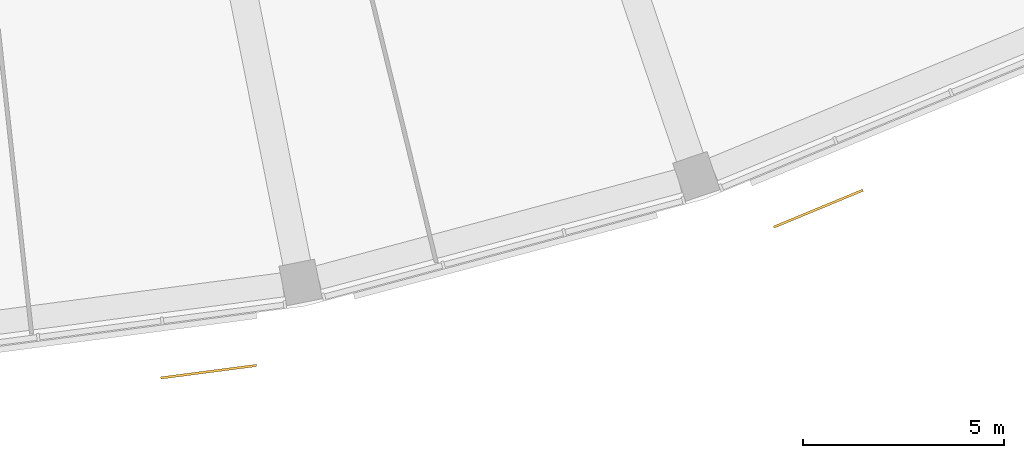
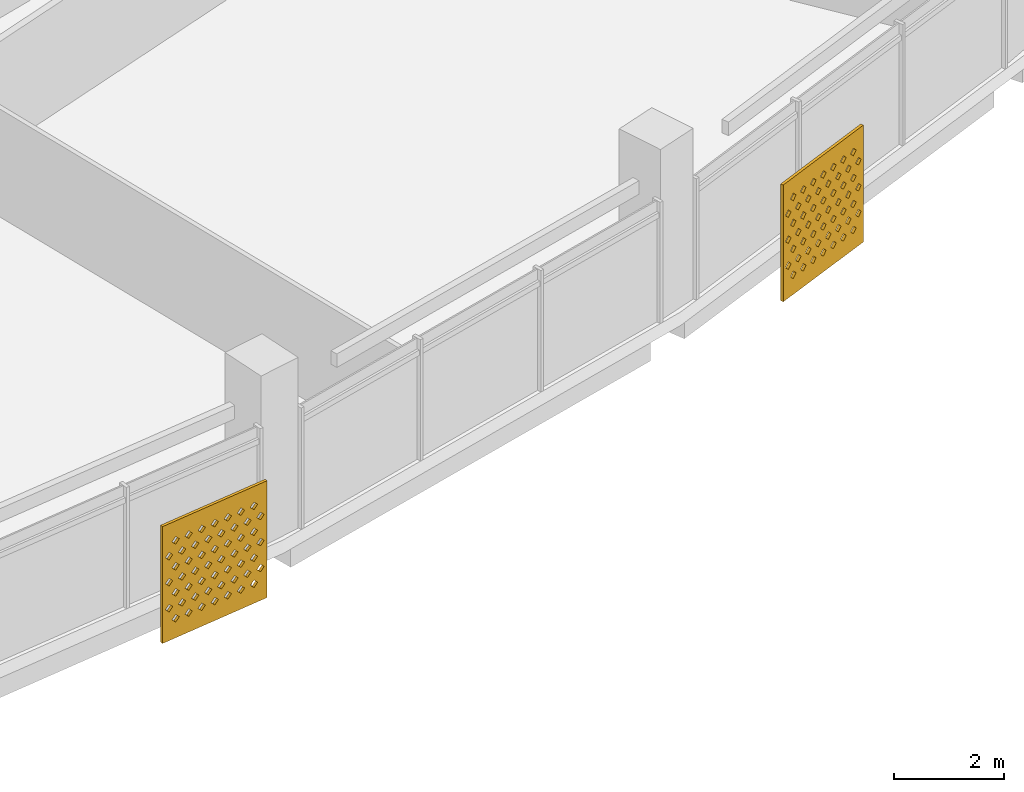
# One storey, part 27 of 29: 2 shading devices.
"""IFC4 building model written with IfcOpenShell, lengths in metres."""

from ifc_helpers import new_model, si_unit, direction, frame, origin, place, context, subcontext, project, spatial, polyline, outline, extrude, material, material_profile, profile_set, type_object, element, save


model = new_model("IFC4")

# Units and contexts
model_context = context("Model", 3, precision=1e-05, world=origin(), true_north=direction((0.0, 1.0)))
body_context = subcontext(model_context, "Body", "Model", "MODEL_VIEW")
ifc_project = project(units=[si_unit("LENGTHUNIT", "METRE"), si_unit("AREAUNIT", "SQUARE_METRE"), si_unit("VOLUMEUNIT", "CUBIC_METRE"), si_unit("PLANEANGLEUNIT", "RADIAN"), si_unit("MASSUNIT", "GRAM", prefix="KILO")], contexts=[model_context])

# Site, building, storey
site_placement = place(None, origin())
site = spatial("IfcSite", under=ifc_project, at=site_placement, CompositionType="ELEMENT")
building_placement = place(site_placement, origin())
building = spatial("IfcBuilding", under=site, at=building_placement, Name="Qamariyya Broadcast Tower", CompositionType="ELEMENT")
storey_placement = place(building_placement, frame((0.0, 0.0, 261.89990234375)))
storey = spatial("IfcBuildingStorey", under=building, at=storey_placement, Name="L63", CompositionType="ELEMENT", Elevation=261.89990234375)

# Shading devices
ifc_material = material(Name="Perforated glazed terracotta", Category="masonry")
ifc_material_profile = material_profile(ifc_material, outline(polyline([(-1.199951171875, -1.300048828125), (1.199951171875, -1.300048828125), (1.199951171875, 1.300048828125), (-1.199951171875, 1.300048828125), (-1.199951171875, -1.300048828125)]), holes=[polyline([(-0.81494140625, -0.86669921875), (-0.89990234375, -0.78173828125), (-0.985107421875, -0.86669921875), (-0.89990234375, -0.95166015625), (-0.81494140625, -0.86669921875)]), polyline([(-0.514892578125, -0.86669921875), (-0.60009765625, -0.78173828125), (-0.68505859375, -0.86669921875), (-0.60009765625, -0.95166015625), (-0.514892578125, -0.86669921875)]), polyline([(-0.215087890625, -0.86669921875), (-0.300048828125, -0.78173828125), (-0.385009765625, -0.86669921875), (-0.300048828125, -0.95166015625), (-0.215087890625, -0.86669921875)]), polyline([(0.0849609375, -0.86669921875), (0.0, -0.78173828125), (-0.0849609375, -0.86669921875), (0.0, -0.95166015625), (0.0849609375, -0.86669921875)]), polyline([(0.385009765625, -0.86669921875), (0.300048828125, -0.78173828125), (0.215087890625, -0.86669921875), (0.300048828125, -0.95166015625), (0.385009765625, -0.86669921875)]), polyline([(0.68505859375, -0.86669921875), (0.60009765625, -0.78173828125), (0.514892578125, -0.86669921875), (0.60009765625, -0.95166015625), (0.68505859375, -0.86669921875)]), polyline([(0.985107421875, -0.86669921875), (0.89990234375, -0.78173828125), (0.81494140625, -0.86669921875), (0.89990234375, -0.95166015625), (0.985107421875, -0.86669921875)]), polyline([(-0.965087890625, -0.577880859375), (-1.050048828125, -0.49267578125), (-1.135009765625, -0.577880859375), (-1.050048828125, -0.662841796875), (-0.965087890625, -0.577880859375)]), polyline([(-0.6650390625, -0.577880859375), (-0.75, -0.49267578125), (-0.8349609375, -0.577880859375), (-0.75, -0.662841796875), (-0.6650390625, -0.577880859375)]), polyline([(-0.364990234375, -0.577880859375), (-0.449951171875, -0.49267578125), (-0.534912109375, -0.577880859375), (-0.449951171875, -0.662841796875), (-0.364990234375, -0.577880859375)]), polyline([(-0.06494140625, -0.577880859375), (-0.14990234375, -0.49267578125), (-0.235107421875, -0.577880859375), (-0.14990234375, -0.662841796875), (-0.06494140625, -0.577880859375)]), polyline([(0.235107421875, -0.577880859375), (0.14990234375, -0.49267578125), (0.06494140625, -0.577880859375), (0.14990234375, -0.662841796875), (0.235107421875, -0.577880859375)]), polyline([(0.534912109375, -0.577880859375), (0.449951171875, -0.49267578125), (0.364990234375, -0.577880859375), (0.449951171875, -0.662841796875), (0.534912109375, -0.577880859375)]), polyline([(0.8349609375, -0.577880859375), (0.75, -0.49267578125), (0.6650390625, -0.577880859375), (0.75, -0.662841796875), (0.8349609375, -0.577880859375)]), polyline([(1.135009765625, -0.577880859375), (1.050048828125, -0.49267578125), (0.965087890625, -0.577880859375), (1.050048828125, -0.662841796875), (1.135009765625, -0.577880859375)]), polyline([(-0.81494140625, -0.288818359375), (-0.89990234375, -0.203857421875), (-0.985107421875, -0.288818359375), (-0.89990234375, -0.373779296875), (-0.81494140625, -0.288818359375)]), polyline([(-0.514892578125, -0.288818359375), (-0.60009765625, -0.203857421875), (-0.68505859375, -0.288818359375), (-0.60009765625, -0.373779296875), (-0.514892578125, -0.288818359375)]), polyline([(-0.215087890625, -0.288818359375), (-0.300048828125, -0.203857421875), (-0.385009765625, -0.288818359375), (-0.300048828125, -0.373779296875), (-0.215087890625, -0.288818359375)]), polyline([(0.0849609375, -0.288818359375), (0.0, -0.203857421875), (-0.0849609375, -0.288818359375), (0.0, -0.373779296875), (0.0849609375, -0.288818359375)]), polyline([(0.385009765625, -0.288818359375), (0.300048828125, -0.203857421875), (0.215087890625, -0.288818359375), (0.300048828125, -0.373779296875), (0.385009765625, -0.288818359375)]), polyline([(0.68505859375, -0.288818359375), (0.60009765625, -0.203857421875), (0.514892578125, -0.288818359375), (0.60009765625, -0.373779296875), (0.68505859375, -0.288818359375)]), polyline([(0.985107421875, -0.288818359375), (0.89990234375, -0.203857421875), (0.81494140625, -0.288818359375), (0.89990234375, -0.373779296875), (0.985107421875, -0.288818359375)]), polyline([(-0.965087890625, 0.0), (-1.050048828125, 0.0849609375), (-1.135009765625, 0.0), (-1.050048828125, -0.0849609375), (-0.965087890625, 0.0)]), polyline([(-0.6650390625, 0.0), (-0.75, 0.0849609375), (-0.8349609375, 0.0), (-0.75, -0.0849609375), (-0.6650390625, 0.0)]), polyline([(-0.364990234375, 0.0), (-0.449951171875, 0.0849609375), (-0.534912109375, 0.0), (-0.449951171875, -0.0849609375), (-0.364990234375, 0.0)]), polyline([(-0.06494140625, 0.0), (-0.14990234375, 0.0849609375), (-0.235107421875, 0.0), (-0.14990234375, -0.0849609375), (-0.06494140625, 0.0)]), polyline([(0.235107421875, 0.0), (0.14990234375, 0.0849609375), (0.06494140625, 0.0), (0.14990234375, -0.0849609375), (0.235107421875, 0.0)]), polyline([(0.534912109375, 0.0), (0.449951171875, 0.0849609375), (0.364990234375, 0.0), (0.449951171875, -0.0849609375), (0.534912109375, 0.0)]), polyline([(0.8349609375, 0.0), (0.75, 0.0849609375), (0.6650390625, 0.0), (0.75, -0.0849609375), (0.8349609375, 0.0)]), polyline([(1.135009765625, 0.0), (1.050048828125, 0.0849609375), (0.965087890625, 0.0), (1.050048828125, -0.0849609375), (1.135009765625, 0.0)]), polyline([(-0.81494140625, 0.288818359375), (-0.89990234375, 0.373779296875), (-0.985107421875, 0.288818359375), (-0.89990234375, 0.203857421875), (-0.81494140625, 0.288818359375)]), polyline([(-0.514892578125, 0.288818359375), (-0.60009765625, 0.373779296875), (-0.68505859375, 0.288818359375), (-0.60009765625, 0.203857421875), (-0.514892578125, 0.288818359375)]), polyline([(-0.215087890625, 0.288818359375), (-0.300048828125, 0.373779296875), (-0.385009765625, 0.288818359375), (-0.300048828125, 0.203857421875), (-0.215087890625, 0.288818359375)]), polyline([(0.0849609375, 0.288818359375), (0.0, 0.373779296875), (-0.0849609375, 0.288818359375), (0.0, 0.203857421875), (0.0849609375, 0.288818359375)]), polyline([(0.385009765625, 0.288818359375), (0.300048828125, 0.373779296875), (0.215087890625, 0.288818359375), (0.300048828125, 0.203857421875), (0.385009765625, 0.288818359375)]), polyline([(0.68505859375, 0.288818359375), (0.60009765625, 0.373779296875), (0.514892578125, 0.288818359375), (0.60009765625, 0.203857421875), (0.68505859375, 0.288818359375)]), polyline([(0.985107421875, 0.288818359375), (0.89990234375, 0.373779296875), (0.81494140625, 0.288818359375), (0.89990234375, 0.203857421875), (0.985107421875, 0.288818359375)]), polyline([(-0.965087890625, 0.577880859375), (-1.050048828125, 0.662841796875), (-1.135009765625, 0.577880859375), (-1.050048828125, 0.49267578125), (-0.965087890625, 0.577880859375)]), polyline([(-0.6650390625, 0.577880859375), (-0.75, 0.662841796875), (-0.8349609375, 0.577880859375), (-0.75, 0.49267578125), (-0.6650390625, 0.577880859375)]), polyline([(-0.364990234375, 0.577880859375), (-0.449951171875, 0.662841796875), (-0.534912109375, 0.577880859375), (-0.449951171875, 0.49267578125), (-0.364990234375, 0.577880859375)]), polyline([(-0.06494140625, 0.577880859375), (-0.14990234375, 0.662841796875), (-0.235107421875, 0.577880859375), (-0.14990234375, 0.49267578125), (-0.06494140625, 0.577880859375)]), polyline([(0.235107421875, 0.577880859375), (0.14990234375, 0.662841796875), (0.06494140625, 0.577880859375), (0.14990234375, 0.49267578125), (0.235107421875, 0.577880859375)]), polyline([(0.534912109375, 0.577880859375), (0.449951171875, 0.662841796875), (0.364990234375, 0.577880859375), (0.449951171875, 0.49267578125), (0.534912109375, 0.577880859375)]), polyline([(0.8349609375, 0.577880859375), (0.75, 0.662841796875), (0.6650390625, 0.577880859375), (0.75, 0.49267578125), (0.8349609375, 0.577880859375)]), polyline([(1.135009765625, 0.577880859375), (1.050048828125, 0.662841796875), (0.965087890625, 0.577880859375), (1.050048828125, 0.49267578125), (1.135009765625, 0.577880859375)]), polyline([(-0.81494140625, 0.86669921875), (-0.89990234375, 0.95166015625), (-0.985107421875, 0.86669921875), (-0.89990234375, 0.78173828125), (-0.81494140625, 0.86669921875)]), polyline([(-0.514892578125, 0.86669921875), (-0.60009765625, 0.95166015625), (-0.68505859375, 0.86669921875), (-0.60009765625, 0.78173828125), (-0.514892578125, 0.86669921875)]), polyline([(-0.215087890625, 0.86669921875), (-0.300048828125, 0.95166015625), (-0.385009765625, 0.86669921875), (-0.300048828125, 0.78173828125), (-0.215087890625, 0.86669921875)]), polyline([(0.0849609375, 0.86669921875), (0.0, 0.95166015625), (-0.0849609375, 0.86669921875), (0.0, 0.78173828125), (0.0849609375, 0.86669921875)]), polyline([(0.385009765625, 0.86669921875), (0.300048828125, 0.95166015625), (0.215087890625, 0.86669921875), (0.300048828125, 0.78173828125), (0.385009765625, 0.86669921875)]), polyline([(0.68505859375, 0.86669921875), (0.60009765625, 0.95166015625), (0.514892578125, 0.86669921875), (0.60009765625, 0.78173828125), (0.68505859375, 0.86669921875)]), polyline([(0.985107421875, 0.86669921875), (0.89990234375, 0.95166015625), (0.81494140625, 0.86669921875), (0.89990234375, 0.78173828125), (0.985107421875, 0.86669921875)])]))
ifc_profile_set = profile_set([ifc_material_profile], Name="Perforated glazed terracotta")
shading_device_type = type_object("IfcShadingDeviceType", Name="Perforated terracotta screen 2400 x 2600", PredefinedType="USERDEFINED", material=ifc_profile_set)
shading_device_1_placement = place(storey_placement, frame((12.880126953125, -78.442138671875, 1.35009765625), z_axis=(0.1300340368, -0.991509530601, 0.0), x_axis=(0.991509530601, 0.1300340368, 0.0)))
element("IfcShadingDevice", 1, at=shading_device_1_placement, inside=storey, type_object=shading_device_type, Name="e-scr-L63-08-2", ObjectType="SCREEN", PredefinedType="USERDEFINED", context=body_context, shape_type="SweptSolid", body=[
    extrude(outline(polyline([(-1.199951171875, -1.300048828125), (1.199951171875, -1.300048828125), (1.199951171875, 1.300048828125), (-1.199951171875, 1.300048828125), (-1.199951171875, -1.300048828125)]), holes=[polyline([(-0.81494140625, -0.86669921875), (-0.89990234375, -0.78173828125), (-0.985107421875, -0.86669921875), (-0.89990234375, -0.95166015625), (-0.81494140625, -0.86669921875)]), polyline([(-0.514892578125, -0.86669921875), (-0.60009765625, -0.78173828125), (-0.68505859375, -0.86669921875), (-0.60009765625, -0.95166015625), (-0.514892578125, -0.86669921875)]), polyline([(-0.215087890625, -0.86669921875), (-0.300048828125, -0.78173828125), (-0.385009765625, -0.86669921875), (-0.300048828125, -0.95166015625), (-0.215087890625, -0.86669921875)]), polyline([(0.0849609375, -0.86669921875), (0.0, -0.78173828125), (-0.0849609375, -0.86669921875), (0.0, -0.95166015625), (0.0849609375, -0.86669921875)]), polyline([(0.385009765625, -0.86669921875), (0.300048828125, -0.78173828125), (0.215087890625, -0.86669921875), (0.300048828125, -0.95166015625), (0.385009765625, -0.86669921875)]), polyline([(0.68505859375, -0.86669921875), (0.60009765625, -0.78173828125), (0.514892578125, -0.86669921875), (0.60009765625, -0.95166015625), (0.68505859375, -0.86669921875)]), polyline([(0.985107421875, -0.86669921875), (0.89990234375, -0.78173828125), (0.81494140625, -0.86669921875), (0.89990234375, -0.95166015625), (0.985107421875, -0.86669921875)]), polyline([(-0.965087890625, -0.577880859375), (-1.050048828125, -0.49267578125), (-1.135009765625, -0.577880859375), (-1.050048828125, -0.662841796875), (-0.965087890625, -0.577880859375)]), polyline([(-0.6650390625, -0.577880859375), (-0.75, -0.49267578125), (-0.8349609375, -0.577880859375), (-0.75, -0.662841796875), (-0.6650390625, -0.577880859375)]), polyline([(-0.364990234375, -0.577880859375), (-0.449951171875, -0.49267578125), (-0.534912109375, -0.577880859375), (-0.449951171875, -0.662841796875), (-0.364990234375, -0.577880859375)]), polyline([(-0.06494140625, -0.577880859375), (-0.14990234375, -0.49267578125), (-0.235107421875, -0.577880859375), (-0.14990234375, -0.662841796875), (-0.06494140625, -0.577880859375)]), polyline([(0.235107421875, -0.577880859375), (0.14990234375, -0.49267578125), (0.06494140625, -0.577880859375), (0.14990234375, -0.662841796875), (0.235107421875, -0.577880859375)]), polyline([(0.534912109375, -0.577880859375), (0.449951171875, -0.49267578125), (0.364990234375, -0.577880859375), (0.449951171875, -0.662841796875), (0.534912109375, -0.577880859375)]), polyline([(0.8349609375, -0.577880859375), (0.75, -0.49267578125), (0.6650390625, -0.577880859375), (0.75, -0.662841796875), (0.8349609375, -0.577880859375)]), polyline([(1.135009765625, -0.577880859375), (1.050048828125, -0.49267578125), (0.965087890625, -0.577880859375), (1.050048828125, -0.662841796875), (1.135009765625, -0.577880859375)]), polyline([(-0.81494140625, -0.288818359375), (-0.89990234375, -0.203857421875), (-0.985107421875, -0.288818359375), (-0.89990234375, -0.373779296875), (-0.81494140625, -0.288818359375)]), polyline([(-0.514892578125, -0.288818359375), (-0.60009765625, -0.203857421875), (-0.68505859375, -0.288818359375), (-0.60009765625, -0.373779296875), (-0.514892578125, -0.288818359375)]), polyline([(-0.215087890625, -0.288818359375), (-0.300048828125, -0.203857421875), (-0.385009765625, -0.288818359375), (-0.300048828125, -0.373779296875), (-0.215087890625, -0.288818359375)]), polyline([(0.0849609375, -0.288818359375), (0.0, -0.203857421875), (-0.0849609375, -0.288818359375), (0.0, -0.373779296875), (0.0849609375, -0.288818359375)]), polyline([(0.385009765625, -0.288818359375), (0.300048828125, -0.203857421875), (0.215087890625, -0.288818359375), (0.300048828125, -0.373779296875), (0.385009765625, -0.288818359375)]), polyline([(0.68505859375, -0.288818359375), (0.60009765625, -0.203857421875), (0.514892578125, -0.288818359375), (0.60009765625, -0.373779296875), (0.68505859375, -0.288818359375)]), polyline([(0.985107421875, -0.288818359375), (0.89990234375, -0.203857421875), (0.81494140625, -0.288818359375), (0.89990234375, -0.373779296875), (0.985107421875, -0.288818359375)]), polyline([(-0.965087890625, 0.0), (-1.050048828125, 0.0849609375), (-1.135009765625, 0.0), (-1.050048828125, -0.0849609375), (-0.965087890625, 0.0)]), polyline([(-0.6650390625, 0.0), (-0.75, 0.0849609375), (-0.8349609375, 0.0), (-0.75, -0.0849609375), (-0.6650390625, 0.0)]), polyline([(-0.364990234375, 0.0), (-0.449951171875, 0.0849609375), (-0.534912109375, 0.0), (-0.449951171875, -0.0849609375), (-0.364990234375, 0.0)]), polyline([(-0.06494140625, 0.0), (-0.14990234375, 0.0849609375), (-0.235107421875, 0.0), (-0.14990234375, -0.0849609375), (-0.06494140625, 0.0)]), polyline([(0.235107421875, 0.0), (0.14990234375, 0.0849609375), (0.06494140625, 0.0), (0.14990234375, -0.0849609375), (0.235107421875, 0.0)]), polyline([(0.534912109375, 0.0), (0.449951171875, 0.0849609375), (0.364990234375, 0.0), (0.449951171875, -0.0849609375), (0.534912109375, 0.0)]), polyline([(0.8349609375, 0.0), (0.75, 0.0849609375), (0.6650390625, 0.0), (0.75, -0.0849609375), (0.8349609375, 0.0)]), polyline([(1.135009765625, 0.0), (1.050048828125, 0.0849609375), (0.965087890625, 0.0), (1.050048828125, -0.0849609375), (1.135009765625, 0.0)]), polyline([(-0.81494140625, 0.288818359375), (-0.89990234375, 0.373779296875), (-0.985107421875, 0.288818359375), (-0.89990234375, 0.203857421875), (-0.81494140625, 0.288818359375)]), polyline([(-0.514892578125, 0.288818359375), (-0.60009765625, 0.373779296875), (-0.68505859375, 0.288818359375), (-0.60009765625, 0.203857421875), (-0.514892578125, 0.288818359375)]), polyline([(-0.215087890625, 0.288818359375), (-0.300048828125, 0.373779296875), (-0.385009765625, 0.288818359375), (-0.300048828125, 0.203857421875), (-0.215087890625, 0.288818359375)]), polyline([(0.0849609375, 0.288818359375), (0.0, 0.373779296875), (-0.0849609375, 0.288818359375), (0.0, 0.203857421875), (0.0849609375, 0.288818359375)]), polyline([(0.385009765625, 0.288818359375), (0.300048828125, 0.373779296875), (0.215087890625, 0.288818359375), (0.300048828125, 0.203857421875), (0.385009765625, 0.288818359375)]), polyline([(0.68505859375, 0.288818359375), (0.60009765625, 0.373779296875), (0.514892578125, 0.288818359375), (0.60009765625, 0.203857421875), (0.68505859375, 0.288818359375)]), polyline([(0.985107421875, 0.288818359375), (0.89990234375, 0.373779296875), (0.81494140625, 0.288818359375), (0.89990234375, 0.203857421875), (0.985107421875, 0.288818359375)]), polyline([(-0.965087890625, 0.577880859375), (-1.050048828125, 0.662841796875), (-1.135009765625, 0.577880859375), (-1.050048828125, 0.49267578125), (-0.965087890625, 0.577880859375)]), polyline([(-0.6650390625, 0.577880859375), (-0.75, 0.662841796875), (-0.8349609375, 0.577880859375), (-0.75, 0.49267578125), (-0.6650390625, 0.577880859375)]), polyline([(-0.364990234375, 0.577880859375), (-0.449951171875, 0.662841796875), (-0.534912109375, 0.577880859375), (-0.449951171875, 0.49267578125), (-0.364990234375, 0.577880859375)]), polyline([(-0.06494140625, 0.577880859375), (-0.14990234375, 0.662841796875), (-0.235107421875, 0.577880859375), (-0.14990234375, 0.49267578125), (-0.06494140625, 0.577880859375)]), polyline([(0.235107421875, 0.577880859375), (0.14990234375, 0.662841796875), (0.06494140625, 0.577880859375), (0.14990234375, 0.49267578125), (0.235107421875, 0.577880859375)]), polyline([(0.534912109375, 0.577880859375), (0.449951171875, 0.662841796875), (0.364990234375, 0.577880859375), (0.449951171875, 0.49267578125), (0.534912109375, 0.577880859375)]), polyline([(0.8349609375, 0.577880859375), (0.75, 0.662841796875), (0.6650390625, 0.577880859375), (0.75, 0.49267578125), (0.8349609375, 0.577880859375)]), polyline([(1.135009765625, 0.577880859375), (1.050048828125, 0.662841796875), (0.965087890625, 0.577880859375), (1.050048828125, 0.49267578125), (1.135009765625, 0.577880859375)]), polyline([(-0.81494140625, 0.86669921875), (-0.89990234375, 0.95166015625), (-0.985107421875, 0.86669921875), (-0.89990234375, 0.78173828125), (-0.81494140625, 0.86669921875)]), polyline([(-0.514892578125, 0.86669921875), (-0.60009765625, 0.95166015625), (-0.68505859375, 0.86669921875), (-0.60009765625, 0.78173828125), (-0.514892578125, 0.86669921875)]), polyline([(-0.215087890625, 0.86669921875), (-0.300048828125, 0.95166015625), (-0.385009765625, 0.86669921875), (-0.300048828125, 0.78173828125), (-0.215087890625, 0.86669921875)]), polyline([(0.0849609375, 0.86669921875), (0.0, 0.95166015625), (-0.0849609375, 0.86669921875), (0.0, 0.78173828125), (0.0849609375, 0.86669921875)]), polyline([(0.385009765625, 0.86669921875), (0.300048828125, 0.95166015625), (0.215087890625, 0.86669921875), (0.300048828125, 0.78173828125), (0.385009765625, 0.86669921875)]), polyline([(0.68505859375, 0.86669921875), (0.60009765625, 0.95166015625), (0.514892578125, 0.86669921875), (0.60009765625, 0.78173828125), (0.68505859375, 0.86669921875)]), polyline([(0.985107421875, 0.86669921875), (0.89990234375, 0.95166015625), (0.81494140625, 0.86669921875), (0.89990234375, 0.78173828125), (0.985107421875, 0.86669921875)])]), origin(), (0.0, 0.0, 1.0), 0.06005859375),
])
shading_device_2_placement = place(storey_placement, frame((28.00927734375, -74.396728515625, 1.35009765625), z_axis=(0.382591441855, -0.923917630863, 0.0), x_axis=(0.923917630863, 0.382591441855, 0.0)))
element("IfcShadingDevice", 2, at=shading_device_2_placement, inside=storey, type_object=shading_device_type, Name="e-scr-L63-10-0", ObjectType="SCREEN", PredefinedType="USERDEFINED", context=body_context, shape_type="SweptSolid", body=[
    extrude(outline(polyline([(-1.199951171875, -1.300048828125), (1.199951171875, -1.300048828125), (1.199951171875, 1.300048828125), (-1.199951171875, 1.300048828125), (-1.199951171875, -1.300048828125)]), holes=[polyline([(-0.81494140625, -0.86669921875), (-0.89990234375, -0.78173828125), (-0.985107421875, -0.86669921875), (-0.89990234375, -0.95166015625), (-0.81494140625, -0.86669921875)]), polyline([(-0.514892578125, -0.86669921875), (-0.60009765625, -0.78173828125), (-0.68505859375, -0.86669921875), (-0.60009765625, -0.95166015625), (-0.514892578125, -0.86669921875)]), polyline([(-0.215087890625, -0.86669921875), (-0.300048828125, -0.78173828125), (-0.385009765625, -0.86669921875), (-0.300048828125, -0.95166015625), (-0.215087890625, -0.86669921875)]), polyline([(0.0849609375, -0.86669921875), (0.0, -0.78173828125), (-0.0849609375, -0.86669921875), (0.0, -0.95166015625), (0.0849609375, -0.86669921875)]), polyline([(0.385009765625, -0.86669921875), (0.300048828125, -0.78173828125), (0.215087890625, -0.86669921875), (0.300048828125, -0.95166015625), (0.385009765625, -0.86669921875)]), polyline([(0.68505859375, -0.86669921875), (0.60009765625, -0.78173828125), (0.514892578125, -0.86669921875), (0.60009765625, -0.95166015625), (0.68505859375, -0.86669921875)]), polyline([(0.985107421875, -0.86669921875), (0.89990234375, -0.78173828125), (0.81494140625, -0.86669921875), (0.89990234375, -0.95166015625), (0.985107421875, -0.86669921875)]), polyline([(-0.965087890625, -0.577880859375), (-1.050048828125, -0.49267578125), (-1.135009765625, -0.577880859375), (-1.050048828125, -0.662841796875), (-0.965087890625, -0.577880859375)]), polyline([(-0.6650390625, -0.577880859375), (-0.75, -0.49267578125), (-0.8349609375, -0.577880859375), (-0.75, -0.662841796875), (-0.6650390625, -0.577880859375)]), polyline([(-0.364990234375, -0.577880859375), (-0.449951171875, -0.49267578125), (-0.534912109375, -0.577880859375), (-0.449951171875, -0.662841796875), (-0.364990234375, -0.577880859375)]), polyline([(-0.06494140625, -0.577880859375), (-0.14990234375, -0.49267578125), (-0.235107421875, -0.577880859375), (-0.14990234375, -0.662841796875), (-0.06494140625, -0.577880859375)]), polyline([(0.235107421875, -0.577880859375), (0.14990234375, -0.49267578125), (0.06494140625, -0.577880859375), (0.14990234375, -0.662841796875), (0.235107421875, -0.577880859375)]), polyline([(0.534912109375, -0.577880859375), (0.449951171875, -0.49267578125), (0.364990234375, -0.577880859375), (0.449951171875, -0.662841796875), (0.534912109375, -0.577880859375)]), polyline([(0.8349609375, -0.577880859375), (0.75, -0.49267578125), (0.6650390625, -0.577880859375), (0.75, -0.662841796875), (0.8349609375, -0.577880859375)]), polyline([(1.135009765625, -0.577880859375), (1.050048828125, -0.49267578125), (0.965087890625, -0.577880859375), (1.050048828125, -0.662841796875), (1.135009765625, -0.577880859375)]), polyline([(-0.81494140625, -0.288818359375), (-0.89990234375, -0.203857421875), (-0.985107421875, -0.288818359375), (-0.89990234375, -0.373779296875), (-0.81494140625, -0.288818359375)]), polyline([(-0.514892578125, -0.288818359375), (-0.60009765625, -0.203857421875), (-0.68505859375, -0.288818359375), (-0.60009765625, -0.373779296875), (-0.514892578125, -0.288818359375)]), polyline([(-0.215087890625, -0.288818359375), (-0.300048828125, -0.203857421875), (-0.385009765625, -0.288818359375), (-0.300048828125, -0.373779296875), (-0.215087890625, -0.288818359375)]), polyline([(0.0849609375, -0.288818359375), (0.0, -0.203857421875), (-0.0849609375, -0.288818359375), (0.0, -0.373779296875), (0.0849609375, -0.288818359375)]), polyline([(0.385009765625, -0.288818359375), (0.300048828125, -0.203857421875), (0.215087890625, -0.288818359375), (0.300048828125, -0.373779296875), (0.385009765625, -0.288818359375)]), polyline([(0.68505859375, -0.288818359375), (0.60009765625, -0.203857421875), (0.514892578125, -0.288818359375), (0.60009765625, -0.373779296875), (0.68505859375, -0.288818359375)]), polyline([(0.985107421875, -0.288818359375), (0.89990234375, -0.203857421875), (0.81494140625, -0.288818359375), (0.89990234375, -0.373779296875), (0.985107421875, -0.288818359375)]), polyline([(-0.965087890625, 0.0), (-1.050048828125, 0.0849609375), (-1.135009765625, 0.0), (-1.050048828125, -0.0849609375), (-0.965087890625, 0.0)]), polyline([(-0.6650390625, 0.0), (-0.75, 0.0849609375), (-0.8349609375, 0.0), (-0.75, -0.0849609375), (-0.6650390625, 0.0)]), polyline([(-0.364990234375, 0.0), (-0.449951171875, 0.0849609375), (-0.534912109375, 0.0), (-0.449951171875, -0.0849609375), (-0.364990234375, 0.0)]), polyline([(-0.06494140625, 0.0), (-0.14990234375, 0.0849609375), (-0.235107421875, 0.0), (-0.14990234375, -0.0849609375), (-0.06494140625, 0.0)]), polyline([(0.235107421875, 0.0), (0.14990234375, 0.0849609375), (0.06494140625, 0.0), (0.14990234375, -0.0849609375), (0.235107421875, 0.0)]), polyline([(0.534912109375, 0.0), (0.449951171875, 0.0849609375), (0.364990234375, 0.0), (0.449951171875, -0.0849609375), (0.534912109375, 0.0)]), polyline([(0.8349609375, 0.0), (0.75, 0.0849609375), (0.6650390625, 0.0), (0.75, -0.0849609375), (0.8349609375, 0.0)]), polyline([(1.135009765625, 0.0), (1.050048828125, 0.0849609375), (0.965087890625, 0.0), (1.050048828125, -0.0849609375), (1.135009765625, 0.0)]), polyline([(-0.81494140625, 0.288818359375), (-0.89990234375, 0.373779296875), (-0.985107421875, 0.288818359375), (-0.89990234375, 0.203857421875), (-0.81494140625, 0.288818359375)]), polyline([(-0.514892578125, 0.288818359375), (-0.60009765625, 0.373779296875), (-0.68505859375, 0.288818359375), (-0.60009765625, 0.203857421875), (-0.514892578125, 0.288818359375)]), polyline([(-0.215087890625, 0.288818359375), (-0.300048828125, 0.373779296875), (-0.385009765625, 0.288818359375), (-0.300048828125, 0.203857421875), (-0.215087890625, 0.288818359375)]), polyline([(0.0849609375, 0.288818359375), (0.0, 0.373779296875), (-0.0849609375, 0.288818359375), (0.0, 0.203857421875), (0.0849609375, 0.288818359375)]), polyline([(0.385009765625, 0.288818359375), (0.300048828125, 0.373779296875), (0.215087890625, 0.288818359375), (0.300048828125, 0.203857421875), (0.385009765625, 0.288818359375)]), polyline([(0.68505859375, 0.288818359375), (0.60009765625, 0.373779296875), (0.514892578125, 0.288818359375), (0.60009765625, 0.203857421875), (0.68505859375, 0.288818359375)]), polyline([(0.985107421875, 0.288818359375), (0.89990234375, 0.373779296875), (0.81494140625, 0.288818359375), (0.89990234375, 0.203857421875), (0.985107421875, 0.288818359375)]), polyline([(-0.965087890625, 0.577880859375), (-1.050048828125, 0.662841796875), (-1.135009765625, 0.577880859375), (-1.050048828125, 0.49267578125), (-0.965087890625, 0.577880859375)]), polyline([(-0.6650390625, 0.577880859375), (-0.75, 0.662841796875), (-0.8349609375, 0.577880859375), (-0.75, 0.49267578125), (-0.6650390625, 0.577880859375)]), polyline([(-0.364990234375, 0.577880859375), (-0.449951171875, 0.662841796875), (-0.534912109375, 0.577880859375), (-0.449951171875, 0.49267578125), (-0.364990234375, 0.577880859375)]), polyline([(-0.06494140625, 0.577880859375), (-0.14990234375, 0.662841796875), (-0.235107421875, 0.577880859375), (-0.14990234375, 0.49267578125), (-0.06494140625, 0.577880859375)]), polyline([(0.235107421875, 0.577880859375), (0.14990234375, 0.662841796875), (0.06494140625, 0.577880859375), (0.14990234375, 0.49267578125), (0.235107421875, 0.577880859375)]), polyline([(0.534912109375, 0.577880859375), (0.449951171875, 0.662841796875), (0.364990234375, 0.577880859375), (0.449951171875, 0.49267578125), (0.534912109375, 0.577880859375)]), polyline([(0.8349609375, 0.577880859375), (0.75, 0.662841796875), (0.6650390625, 0.577880859375), (0.75, 0.49267578125), (0.8349609375, 0.577880859375)]), polyline([(1.135009765625, 0.577880859375), (1.050048828125, 0.662841796875), (0.965087890625, 0.577880859375), (1.050048828125, 0.49267578125), (1.135009765625, 0.577880859375)]), polyline([(-0.81494140625, 0.86669921875), (-0.89990234375, 0.95166015625), (-0.985107421875, 0.86669921875), (-0.89990234375, 0.78173828125), (-0.81494140625, 0.86669921875)]), polyline([(-0.514892578125, 0.86669921875), (-0.60009765625, 0.95166015625), (-0.68505859375, 0.86669921875), (-0.60009765625, 0.78173828125), (-0.514892578125, 0.86669921875)]), polyline([(-0.215087890625, 0.86669921875), (-0.300048828125, 0.95166015625), (-0.385009765625, 0.86669921875), (-0.300048828125, 0.78173828125), (-0.215087890625, 0.86669921875)]), polyline([(0.0849609375, 0.86669921875), (0.0, 0.95166015625), (-0.0849609375, 0.86669921875), (0.0, 0.78173828125), (0.0849609375, 0.86669921875)]), polyline([(0.385009765625, 0.86669921875), (0.300048828125, 0.95166015625), (0.215087890625, 0.86669921875), (0.300048828125, 0.78173828125), (0.385009765625, 0.86669921875)]), polyline([(0.68505859375, 0.86669921875), (0.60009765625, 0.95166015625), (0.514892578125, 0.86669921875), (0.60009765625, 0.78173828125), (0.68505859375, 0.86669921875)]), polyline([(0.985107421875, 0.86669921875), (0.89990234375, 0.95166015625), (0.81494140625, 0.86669921875), (0.89990234375, 0.78173828125), (0.985107421875, 0.86669921875)])]), origin(), (0.0, 0.0, 1.0), 0.06005859375),
])

save(model, "model.ifc")
